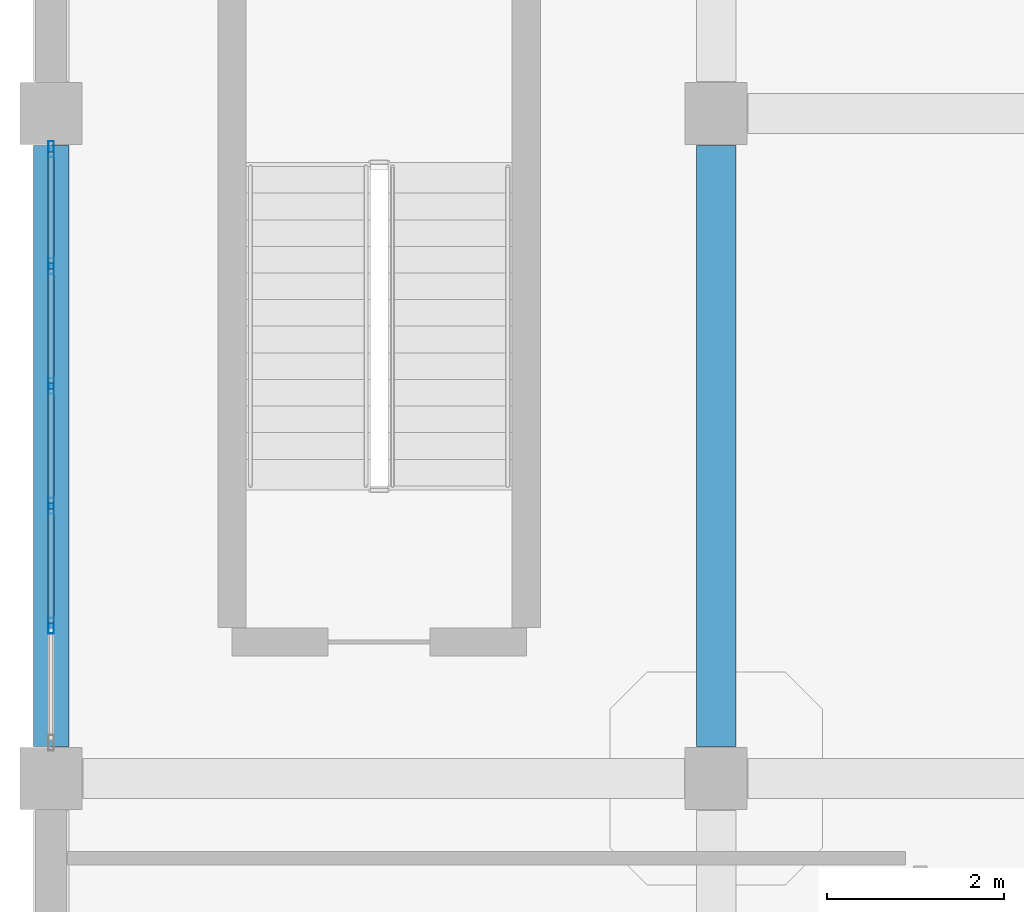
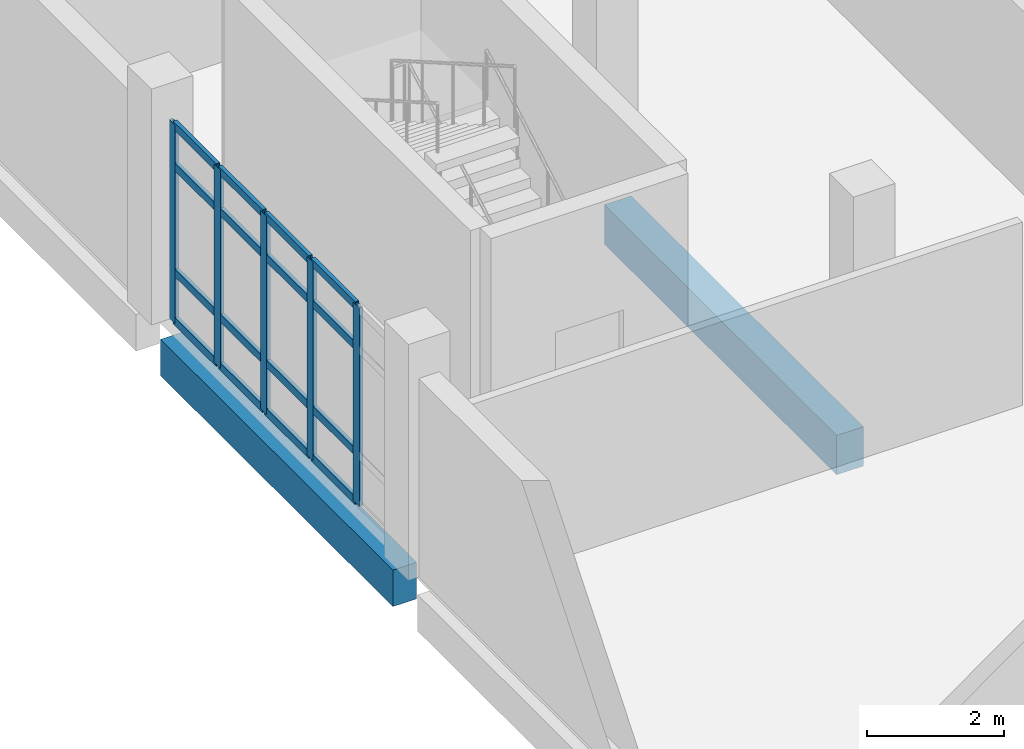
# One storey, part 24 of 164: 21 members, 2 beams, 1 element without a shape of its own.
"""IFC4 building model written with IfcOpenShell, lengths in metres."""

from ifc_helpers import new_model, si_unit, direction, frame, origin, origin_2d, place, context, subcontext, project, spatial, rectangle, hollow_rectangle, extrude, material, layer, layer_set, material_profile, profile_set, type_object, element, aggregate, save


model = new_model("IFC4")

# Units and contexts
model_context = context("Model", 3, precision=1e-05, world=origin(), true_north=direction((0.0, 1.0)))
body_context = subcontext(model_context, "Body", "Model", "MODEL_VIEW")
ifc_project = project(units=[si_unit("LENGTHUNIT", "METRE"), si_unit("AREAUNIT", "SQUARE_METRE"), si_unit("VOLUMEUNIT", "CUBIC_METRE"), si_unit("PLANEANGLEUNIT", "RADIAN"), si_unit("MASSUNIT", "GRAM", prefix="KILO")], contexts=[model_context])

# Site, building, storey
site_placement = place(None, origin())
site = spatial("IfcSite", under=ifc_project, at=site_placement, CompositionType="ELEMENT")
building_placement = place(site_placement, origin())
building = spatial("IfcBuilding", under=site, at=building_placement, Name="Mawjan Specialist Oncology Clinic", CompositionType="ELEMENT")
storey_placement = place(building_placement, frame((0.0, 0.0, 5.0)))
storey = spatial("IfcBuildingStorey", under=building, at=storey_placement, Name="L01", CompositionType="ELEMENT", Elevation=5.0)

# Beam
ifc_material_1 = material(Name="Concrete C40/50", Category="concrete")
ifc_material_profile_1 = material_profile(ifc_material_1, rectangle(XDim=0.449951171875, YDim=0.699951171875, at=origin_2d()), Name="RC BM 450x700", Category="concrete")
ifc_profile_set_1 = profile_set([ifc_material_profile_1], Name="Concrete C40/50")
beam_type_1 = type_object("IfcBeamType", Name="BM-450x700", PredefinedType="BEAM", material=ifc_profile_set_1)
beam_1_placement = place(storey_placement, frame((7.5, 23.659912109375, -0.8701171875), z_axis=(0.0, 1.0, 0.0), x_axis=(-1.0, 0.0, 0.0)))
element("IfcBeam", 1, at=beam_1_placement, inside=storey, type_object=beam_type_1, Name="L01 Collector Beam BM-L01-0430", PredefinedType="BEAM", context=body_context, shape_type="SweptSolid", body=[
    extrude(rectangle(XDim=0.449951171875, YDim=0.699951171875, at=origin_2d()), origin(), (0.0, 0.0, 1.0), 6.780029296875),
])

# Curtain wall, members
ifc_material_2 = material(Name="Unitised spectrally selective aluminium curtain wall", Category="aluminium")
ifc_layer = layer(ifc_material_2, 0.179931640625, Name="Unitised spectrally selective aluminium curtain wall", Category="aluminium")
ifc_layer_set = layer_set([ifc_layer], Name="Unitised spectrally selective aluminium curtain wall")
curtain_wall_type = type_object("IfcCurtainWallType", Name="CW-73", PredefinedType="NOTDEFINED", material=ifc_layer_set)
curtain_wall_placement = place(storey_placement, origin())
curtain_wall = element("IfcCurtainWall", 2, at=curtain_wall_placement, inside=storey, type_object=curtain_wall_type, Name="L01 Unitised Curtain Wall CW-L01-146", PredefinedType="NOTDEFINED")
ifc_material_3 = material(Name="Thermally broken aluminium 6063-T6", Category="aluminium")
ifc_material_profile_2 = material_profile(ifc_material_3, hollow_rectangle(XDim=0.06494140625, YDim=0.179931640625, WallThickness=0.00390625, at=origin_2d()), Name="ALU MULLION 180x65x4", Category="aluminium")
ifc_profile_set_2 = profile_set([ifc_material_profile_2], Name="Thermally broken aluminium 6063-T6")
member_type_1 = type_object("IfcMemberType", Name="CW-M180", PredefinedType="MULLION", material=ifc_profile_set_2)
member_1_placement = place(storey_placement, frame((0.0, 25.02197265625, 0.0), z_axis=(0.0, 0.0, 1.0), x_axis=(-1.0, 0.0, 0.0)))
member_1 = element("IfcMember", 3, at=member_1_placement, type_object=member_type_1, Name="CW-73 mullion 2", PredefinedType="MULLION", context=body_context, shape_type="SweptSolid", body=[
    extrude(hollow_rectangle(XDim=0.06494140625, YDim=0.179931640625, WallThickness=0.00390625, at=origin_2d()), origin(), (0.0, 0.0, 1.0), 3.534912109375),
])
member_2_placement = place(storey_placement, frame((0.0, 26.3740234375, 0.0), z_axis=(0.0, 0.0, 1.0), x_axis=(-1.0, 0.0, 0.0)))
member_2 = element("IfcMember", 4, at=member_2_placement, type_object=member_type_1, Name="CW-73 mullion 3", PredefinedType="MULLION", context=body_context, shape_type="SweptSolid", body=[
    extrude(hollow_rectangle(XDim=0.06494140625, YDim=0.179931640625, WallThickness=0.00390625, at=origin_2d()), origin(), (0.0, 0.0, 1.0), 3.534912109375),
])
member_3_placement = place(storey_placement, frame((0.0, 27.72607421875, 0.0), z_axis=(0.0, 0.0, 1.0), x_axis=(-1.0, 0.0, 0.0)))
member_3 = element("IfcMember", 5, at=member_3_placement, type_object=member_type_1, Name="CW-73 mullion 4", PredefinedType="MULLION", context=body_context, shape_type="SweptSolid", body=[
    extrude(hollow_rectangle(XDim=0.06494140625, YDim=0.179931640625, WallThickness=0.00390625, at=origin_2d()), origin(), (0.0, 0.0, 1.0), 3.534912109375),
])
member_4_placement = place(storey_placement, frame((0.0, 29.077880859375, 0.0), z_axis=(0.0, 0.0, 1.0), x_axis=(-1.0, 0.0, 0.0)))
member_4 = element("IfcMember", 6, at=member_4_placement, type_object=member_type_1, Name="CW-73 mullion 5", PredefinedType="MULLION", context=body_context, shape_type="SweptSolid", body=[
    extrude(hollow_rectangle(XDim=0.06494140625, YDim=0.179931640625, WallThickness=0.00390625, at=origin_2d()), origin(), (0.0, 0.0, 1.0), 3.534912109375),
])
member_5_placement = place(storey_placement, frame((0.0, 30.3974609375, 0.0), z_axis=(0.0, 0.0, 1.0), x_axis=(-1.0, 0.0, 0.0)))
member_5 = element("IfcMember", 7, at=member_5_placement, type_object=member_type_1, Name="CW-73 mullion 6", PredefinedType="MULLION", context=body_context, shape_type="SweptSolid", body=[
    extrude(hollow_rectangle(XDim=0.06494140625, YDim=0.179931640625, WallThickness=0.00390625, at=origin_2d()), origin(), (0.0, 0.0, 1.0), 3.534912109375),
])
ifc_material_4 = material(Name="Thermally broken aluminium 6063-T6", Category="aluminium")
ifc_material_profile_3 = material_profile(ifc_material_4, hollow_rectangle(XDim=0.06494140625, YDim=0.139892578125, WallThickness=0.00390625, at=origin_2d()), Name="ALU TRANSOM 140x65x4", Category="aluminium")
ifc_profile_set_3 = profile_set([ifc_material_profile_3], Name="Thermally broken aluminium 6063-T6")
member_type_2 = type_object("IfcMemberType", Name="CW-T140", PredefinedType="USERDEFINED", material=ifc_profile_set_3)
member_6_placement = place(storey_placement, frame((0.0, 25.054443359375, 0.032470703125), z_axis=(0.0, 1.0, 0.0), x_axis=(-1.0, 0.0, 0.0)))
member_6 = element("IfcMember", 8, at=member_6_placement, type_object=member_type_2, Name="CW-73 transom 2.1", ObjectType="TRANSOM", PredefinedType="USERDEFINED", context=body_context, shape_type="SweptSolid", body=[
    extrude(hollow_rectangle(XDim=0.06494140625, YDim=0.139892578125, WallThickness=0.00390625, at=origin_2d()), origin(), (0.0, 0.0, 1.0), 1.287109375),
])
member_7_placement = place(storey_placement, frame((0.0, 25.054443359375, 0.89990234375), z_axis=(0.0, 1.0, 0.0), x_axis=(-1.0, 0.0, 0.0)))
member_7 = element("IfcMember", 9, at=member_7_placement, type_object=member_type_2, Name="CW-73 transom 2.2", ObjectType="TRANSOM", PredefinedType="USERDEFINED", context=body_context, shape_type="SweptSolid", body=[
    extrude(hollow_rectangle(XDim=0.06494140625, YDim=0.139892578125, WallThickness=0.00390625, at=origin_2d()), origin(), (0.0, 0.0, 1.0), 1.287109375),
])
member_8_placement = place(storey_placement, frame((0.0, 25.054443359375, 2.784912109375), z_axis=(0.0, 1.0, 0.0), x_axis=(-1.0, 0.0, 0.0)))
member_8 = element("IfcMember", 10, at=member_8_placement, type_object=member_type_2, Name="CW-73 transom 2.3", ObjectType="TRANSOM", PredefinedType="USERDEFINED", context=body_context, shape_type="SweptSolid", body=[
    extrude(hollow_rectangle(XDim=0.06494140625, YDim=0.139892578125, WallThickness=0.00390625, at=origin_2d()), origin(), (0.0, 0.0, 1.0), 1.287109375),
])
member_9_placement = place(storey_placement, frame((0.0, 25.054443359375, 3.50244140625), z_axis=(0.0, 1.0, 0.0), x_axis=(-1.0, 0.0, 0.0)))
member_9 = element("IfcMember", 11, at=member_9_placement, type_object=member_type_2, Name="CW-73 transom 2.4", ObjectType="TRANSOM", PredefinedType="USERDEFINED", context=body_context, shape_type="SweptSolid", body=[
    extrude(hollow_rectangle(XDim=0.06494140625, YDim=0.139892578125, WallThickness=0.00390625, at=origin_2d()), origin(), (0.0, 0.0, 1.0), 1.287109375),
])
member_10_placement = place(storey_placement, frame((0.0, 26.406494140625, 0.032470703125), z_axis=(0.0, 1.0, 0.0), x_axis=(-1.0, 0.0, 0.0)))
member_10 = element("IfcMember", 12, at=member_10_placement, type_object=member_type_2, Name="CW-73 transom 3.1", ObjectType="TRANSOM", PredefinedType="USERDEFINED", context=body_context, shape_type="SweptSolid", body=[
    extrude(hollow_rectangle(XDim=0.06494140625, YDim=0.139892578125, WallThickness=0.00390625, at=origin_2d()), origin(), (0.0, 0.0, 1.0), 1.287109375),
])
member_11_placement = place(storey_placement, frame((0.0, 26.406494140625, 0.89990234375), z_axis=(0.0, 1.0, 0.0), x_axis=(-1.0, 0.0, 0.0)))
member_11 = element("IfcMember", 13, at=member_11_placement, type_object=member_type_2, Name="CW-73 transom 3.2", ObjectType="TRANSOM", PredefinedType="USERDEFINED", context=body_context, shape_type="SweptSolid", body=[
    extrude(hollow_rectangle(XDim=0.06494140625, YDim=0.139892578125, WallThickness=0.00390625, at=origin_2d()), origin(), (0.0, 0.0, 1.0), 1.287109375),
])
member_12_placement = place(storey_placement, frame((0.0, 26.406494140625, 2.784912109375), z_axis=(0.0, 1.0, 0.0), x_axis=(-1.0, 0.0, 0.0)))
member_12 = element("IfcMember", 14, at=member_12_placement, type_object=member_type_2, Name="CW-73 transom 3.3", ObjectType="TRANSOM", PredefinedType="USERDEFINED", context=body_context, shape_type="SweptSolid", body=[
    extrude(hollow_rectangle(XDim=0.06494140625, YDim=0.139892578125, WallThickness=0.00390625, at=origin_2d()), origin(), (0.0, 0.0, 1.0), 1.287109375),
])
member_13_placement = place(storey_placement, frame((0.0, 26.406494140625, 3.50244140625), z_axis=(0.0, 1.0, 0.0), x_axis=(-1.0, 0.0, 0.0)))
member_13 = element("IfcMember", 15, at=member_13_placement, type_object=member_type_2, Name="CW-73 transom 3.4", ObjectType="TRANSOM", PredefinedType="USERDEFINED", context=body_context, shape_type="SweptSolid", body=[
    extrude(hollow_rectangle(XDim=0.06494140625, YDim=0.139892578125, WallThickness=0.00390625, at=origin_2d()), origin(), (0.0, 0.0, 1.0), 1.287109375),
])
member_14_placement = place(storey_placement, frame((0.0, 27.758544921875, 0.032470703125), z_axis=(0.0, 1.0, 0.0), x_axis=(-1.0, 0.0, 0.0)))
member_14 = element("IfcMember", 16, at=member_14_placement, type_object=member_type_2, Name="CW-73 transom 4.1", ObjectType="TRANSOM", PredefinedType="USERDEFINED", context=body_context, shape_type="SweptSolid", body=[
    extrude(hollow_rectangle(XDim=0.06494140625, YDim=0.139892578125, WallThickness=0.00390625, at=origin_2d()), origin(), (0.0, 0.0, 1.0), 1.286865234375),
])
member_15_placement = place(storey_placement, frame((0.0, 27.758544921875, 0.89990234375), z_axis=(0.0, 1.0, 0.0), x_axis=(-1.0, 0.0, 0.0)))
member_15 = element("IfcMember", 17, at=member_15_placement, type_object=member_type_2, Name="CW-73 transom 4.2", ObjectType="TRANSOM", PredefinedType="USERDEFINED", context=body_context, shape_type="SweptSolid", body=[
    extrude(hollow_rectangle(XDim=0.06494140625, YDim=0.139892578125, WallThickness=0.00390625, at=origin_2d()), origin(), (0.0, 0.0, 1.0), 1.286865234375),
])
member_16_placement = place(storey_placement, frame((0.0, 27.758544921875, 2.784912109375), z_axis=(0.0, 1.0, 0.0), x_axis=(-1.0, 0.0, 0.0)))
member_16 = element("IfcMember", 18, at=member_16_placement, type_object=member_type_2, Name="CW-73 transom 4.3", ObjectType="TRANSOM", PredefinedType="USERDEFINED", context=body_context, shape_type="SweptSolid", body=[
    extrude(hollow_rectangle(XDim=0.06494140625, YDim=0.139892578125, WallThickness=0.00390625, at=origin_2d()), origin(), (0.0, 0.0, 1.0), 1.286865234375),
])
member_17_placement = place(storey_placement, frame((0.0, 27.758544921875, 3.50244140625), z_axis=(0.0, 1.0, 0.0), x_axis=(-1.0, 0.0, 0.0)))
member_17 = element("IfcMember", 19, at=member_17_placement, type_object=member_type_2, Name="CW-73 transom 4.4", ObjectType="TRANSOM", PredefinedType="USERDEFINED", context=body_context, shape_type="SweptSolid", body=[
    extrude(hollow_rectangle(XDim=0.06494140625, YDim=0.139892578125, WallThickness=0.00390625, at=origin_2d()), origin(), (0.0, 0.0, 1.0), 1.286865234375),
])
member_18_placement = place(storey_placement, frame((0.0, 29.110595703125, 0.032470703125), z_axis=(0.0, 1.0, 0.0), x_axis=(-1.0, 0.0, 0.0)))
member_18 = element("IfcMember", 20, at=member_18_placement, type_object=member_type_2, Name="CW-73 transom 5.1", ObjectType="TRANSOM", PredefinedType="USERDEFINED", context=body_context, shape_type="SweptSolid", body=[
    extrude(hollow_rectangle(XDim=0.06494140625, YDim=0.139892578125, WallThickness=0.00390625, at=origin_2d()), origin(), (0.0, 0.0, 1.0), 1.25439453125),
])
member_19_placement = place(storey_placement, frame((0.0, 29.110595703125, 0.89990234375), z_axis=(0.0, 1.0, 0.0), x_axis=(-1.0, 0.0, 0.0)))
member_19 = element("IfcMember", 21, at=member_19_placement, type_object=member_type_2, Name="CW-73 transom 5.2", ObjectType="TRANSOM", PredefinedType="USERDEFINED", context=body_context, shape_type="SweptSolid", body=[
    extrude(hollow_rectangle(XDim=0.06494140625, YDim=0.139892578125, WallThickness=0.00390625, at=origin_2d()), origin(), (0.0, 0.0, 1.0), 1.25439453125),
])
member_20_placement = place(storey_placement, frame((0.0, 29.110595703125, 2.784912109375), z_axis=(0.0, 1.0, 0.0), x_axis=(-1.0, 0.0, 0.0)))
member_20 = element("IfcMember", 22, at=member_20_placement, type_object=member_type_2, Name="CW-73 transom 5.3", ObjectType="TRANSOM", PredefinedType="USERDEFINED", context=body_context, shape_type="SweptSolid", body=[
    extrude(hollow_rectangle(XDim=0.06494140625, YDim=0.139892578125, WallThickness=0.00390625, at=origin_2d()), origin(), (0.0, 0.0, 1.0), 1.25439453125),
])
member_21_placement = place(storey_placement, frame((0.0, 29.110595703125, 3.50244140625), z_axis=(0.0, 1.0, 0.0), x_axis=(-1.0, 0.0, 0.0)))
member_21 = element("IfcMember", 23, at=member_21_placement, type_object=member_type_2, Name="CW-73 transom 5.4", ObjectType="TRANSOM", PredefinedType="USERDEFINED", context=body_context, shape_type="SweptSolid", body=[
    extrude(hollow_rectangle(XDim=0.06494140625, YDim=0.139892578125, WallThickness=0.00390625, at=origin_2d()), origin(), (0.0, 0.0, 1.0), 1.25439453125),
])
aggregate(curtain_wall, [member_1, member_2, member_3, member_4, member_5, member_6, member_7, member_8, member_9, member_10, member_11, member_12, member_13, member_14, member_15, member_16, member_17, member_18, member_19, member_20, member_21])

# Beam
ifc_material_5 = material(Name="Concrete C45/55", Category="concrete")
ifc_material_profile_4 = material_profile(ifc_material_5, rectangle(XDim=0.39990234375, YDim=0.64990234375, at=origin_2d()), Name="RC BM 400x650", Category="concrete")
ifc_profile_set_4 = profile_set([ifc_material_profile_4], Name="Concrete C45/55")
beam_type_2 = type_object("IfcBeamType", Name="SP-400x650", PredefinedType="SPANDREL", material=ifc_profile_set_4)
beam_2_placement = place(storey_placement, frame((0.0, 23.659912109375, -0.625), z_axis=(0.0, 1.0, 0.0), x_axis=(-1.0, 0.0, 0.0)))
element("IfcBeam", 24, at=beam_2_placement, inside=storey, type_object=beam_type_2, Name="L01 Spandrel Beam BM-L01-0421", PredefinedType="SPANDREL", context=body_context, shape_type="SweptSolid", body=[
    extrude(rectangle(XDim=0.39990234375, YDim=0.64990234375, at=origin_2d()), origin(), (0.0, 0.0, 1.0), 6.780029296875),
])

save(model, "model.ifc")
